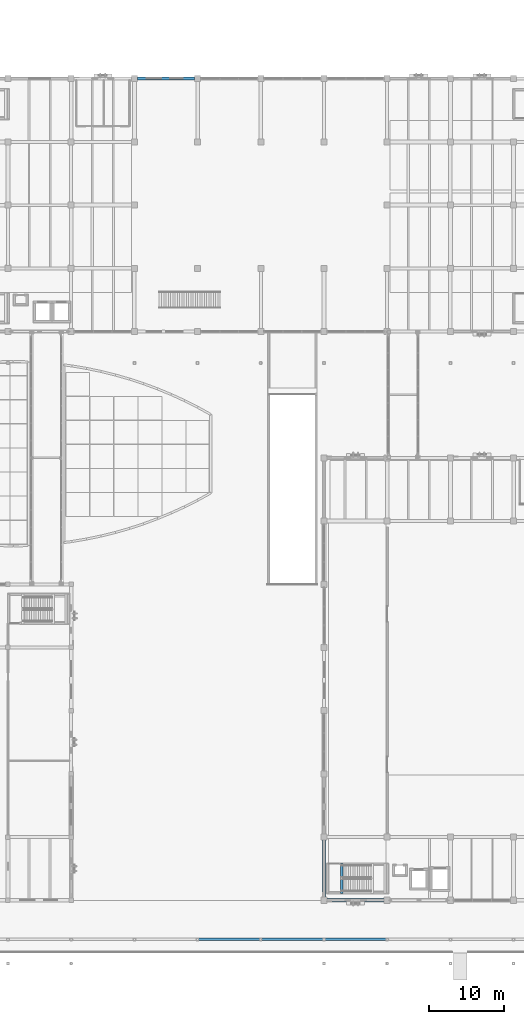
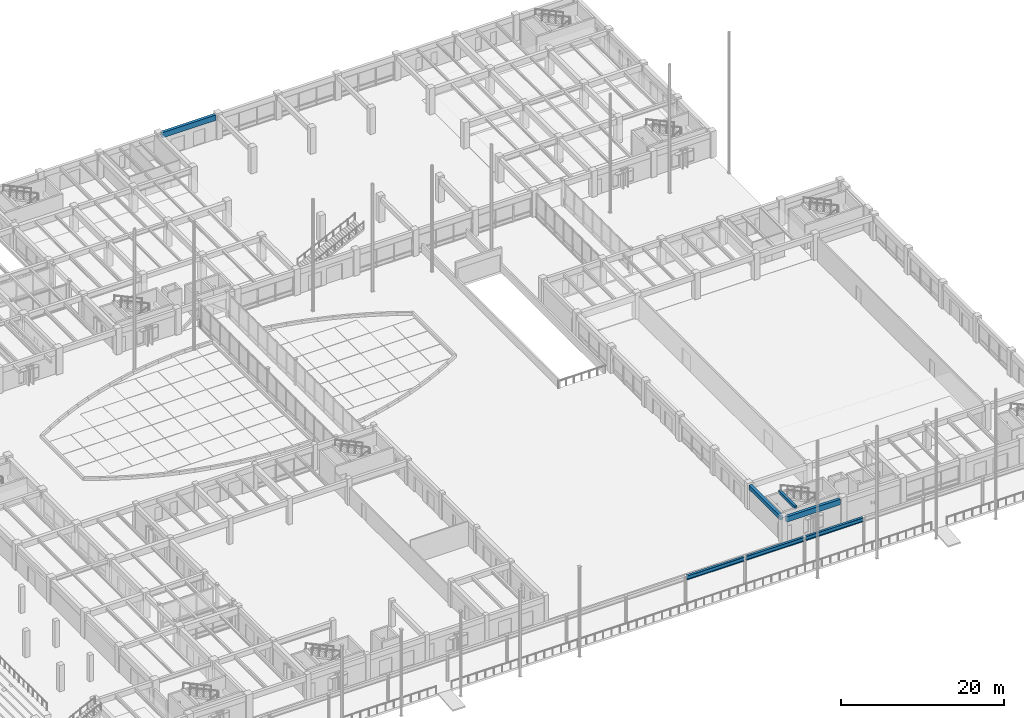
# One storey, part 50 of 135: 7 beams.
"""IFC4 building model written with IfcOpenShell, lengths in metres."""

from ifc_helpers import new_model, si_unit, direction, frame, origin, origin_2d, place, context, subcontext, project, spatial, rectangle, i_section, extrude, material, material_profile, profile_set, type_object, element, save


model = new_model("IFC4")

# Units and contexts
model_context = context("Model", 3, precision=1e-05, world=origin(), true_north=direction((0.0, 1.0)))
body_context = subcontext(model_context, "Body", "Model", "MODEL_VIEW")
ifc_project = project(units=[si_unit("LENGTHUNIT", "METRE"), si_unit("AREAUNIT", "SQUARE_METRE"), si_unit("VOLUMEUNIT", "CUBIC_METRE"), si_unit("PLANEANGLEUNIT", "RADIAN"), si_unit("MASSUNIT", "GRAM", prefix="KILO")], contexts=[model_context])

# Site, building, storey
site_placement = place(None, origin())
site = spatial("IfcSite", under=ifc_project, at=site_placement, CompositionType="ELEMENT")
building_placement = place(site_placement, origin())
building = spatial("IfcBuilding", under=site, at=building_placement, Name="Cumbredor Promenade Congress Hotel", CompositionType="ELEMENT")
storey_placement = place(building_placement, origin())
storey = spatial("IfcBuildingStorey", under=building, at=storey_placement, Name="L00", CompositionType="ELEMENT", Elevation=0.0)

# Beams
ifc_material_1 = material(Name="Concrete C40/50", Category="concrete")
ifc_material_profile_1 = material_profile(ifc_material_1, rectangle(XDim=0.39990234375, YDim=0.64990234375, at=origin_2d()), Name="RC BEAM 400x650")
ifc_profile_set_1 = profile_set([ifc_material_profile_1], Name="Concrete C40/50")
beam_type_1 = type_object("IfcBeamType", Name="BM-RC-400x650", PredefinedType="BEAM", material=ifc_profile_set_1)
beam_1_placement = place(storey_placement, frame((142.800048828125, 8.800048828125, 3.31494140625), z_axis=(0.0, 1.0, 0.0), x_axis=(-1.0, 0.0, 0.0)))
element("IfcBeam", 1, at=beam_1_placement, inside=storey, type_object=beam_type_1, Name="L01 Y-Grid Beam 214", PredefinedType="BEAM", context=body_context, shape_type="SweptSolid", body=[
    extrude(rectangle(XDim=0.39990234375, YDim=0.64990234375, at=origin_2d()), origin(), (0.0, 0.0, 1.0), 7.599853515625),
])
ifc_material_2 = material(Name="Steel ASTM A992 Grade 50", Category="steel")
ifc_material_profile_2 = material_profile(ifc_material_2, i_section(OverallWidth=0.323974609375, OverallDepth=0.611083984375, WebThickness=0.0126953125, FlangeThickness=0.01904296875, at=origin_2d()), Name="W24X104")
ifc_profile_set_2 = profile_set([ifc_material_profile_2], Name="Steel ASTM A992 Grade 50")
beam_type_2 = type_object("IfcBeamType", Name="BM-W24X104", PredefinedType="BEAM", material=ifc_profile_set_2)
beam_2_placement = place(storey_placement, frame((126.139892578125, 3.199951171875, 3.60009765625), z_axis=(1.0, 0.0, 0.0), x_axis=(0.0, 1.0, 0.0)))
element("IfcBeam", 2, at=beam_2_placement, inside=storey, type_object=beam_type_2, Name="Riverside Colonnade Edge Beam 15", PredefinedType="BEAM", context=body_context, shape_type="SweptSolid", body=[
    extrude(i_section(OverallWidth=0.323974609375, OverallDepth=0.611083984375, WebThickness=0.0126953125, FlangeThickness=0.01904296875, at=origin_2d()), origin(), (0.0, 0.0, 1.0), 8.1201171875),
])
beam_3_placement = place(storey_placement, frame((134.5400390625, 3.199951171875, 3.60009765625), z_axis=(1.0, 0.0, 0.0), x_axis=(0.0, 1.0, 0.0)))
element("IfcBeam", 3, at=beam_3_placement, inside=storey, type_object=beam_type_2, Name="Riverside Colonnade Edge Beam 16", PredefinedType="BEAM", context=body_context, shape_type="SweptSolid", body=[
    extrude(i_section(OverallWidth=0.323974609375, OverallDepth=0.611083984375, WebThickness=0.0126953125, FlangeThickness=0.01904296875, at=origin_2d()), origin(), (0.0, 0.0, 1.0), 8.119873046875),
])
beam_4_placement = place(storey_placement, frame((142.93994140625, 3.199951171875, 3.60009765625), z_axis=(1.0, 0.0, 0.0), x_axis=(0.0, 1.0, 0.0)))
element("IfcBeam", 4, at=beam_4_placement, inside=storey, type_object=beam_type_2, Name="Riverside Colonnade Edge Beam 17", PredefinedType="BEAM", context=body_context, shape_type="SweptSolid", body=[
    extrude(i_section(OverallWidth=0.323974609375, OverallDepth=0.611083984375, WebThickness=0.0126953125, FlangeThickness=0.01904296875, at=origin_2d()), origin(), (0.0, 0.0, 1.0), 8.1201171875),
])
ifc_material_profile_3 = material_profile(ifc_material_1, rectangle(XDim=0.300048828125, YDim=0.5, at=origin_2d()), Name="RC LINTEL 300x500")
ifc_profile_set_3 = profile_set([ifc_material_profile_3], Name="Concrete C40/50")
beam_type_3 = type_object("IfcBeamType", Name="LN-RC-300x500", PredefinedType="LINTEL", material=ifc_profile_set_3)
beam_5_placement = place(storey_placement, frame((145.14990234375, 9.330078125, 3.669921875), z_axis=(0.0, 1.0, 0.0), x_axis=(-1.0, 0.0, 0.0)))
element("IfcBeam", 5, at=beam_5_placement, inside=storey, type_object=beam_type_3, Name="L01 Stair ST-08 Well Header Trimmer Beam", PredefinedType="LINTEL", context=body_context, shape_type="SweptSolid", body=[
    extrude(rectangle(XDim=0.300048828125, YDim=0.5, at=origin_2d()), origin(), (0.0, 0.0, 1.0), 3.969970703125),
])
ifc_material_profile_4 = material_profile(ifc_material_1, rectangle(XDim=0.39990234375, YDim=0.800048828125, at=origin_2d()), Name="RC SPANDREL 400x800")
ifc_profile_set_4 = profile_set([ifc_material_profile_4], Name="Concrete C40/50")
beam_type_4 = type_object("IfcBeamType", Name="SP-RC-400x800", PredefinedType="SPANDREL", material=ifc_profile_set_4)
for number, where, z_axis, x_axis, name in (
    (6, (118.0, 117.60009765625, 3.239990234375), (1.0, 0.0, 0.0), (0.0, 1.0, 0.0), "L01 X-Grid Beam 205"),
    (7, (143.199951171875, 8.39990234375, 3.239990234375), (1.0, 0.0, 0.0), (0.0, 1.0, 0.0), "L01 X-Grid Beam 213"),
):
    element("IfcBeam", number, at=place(storey_placement, frame(where, z_axis=z_axis, x_axis=x_axis)), inside=storey, type_object=beam_type_4, Name=name, PredefinedType="SPANDREL", context=body_context, shape_type="SweptSolid", body=[
        extrude(rectangle(XDim=0.39990234375, YDim=0.800048828125, at=origin_2d()), origin(), (0.0, 0.0, 1.0), 7.60009765625),
    ])

save(model, "model.ifc")
